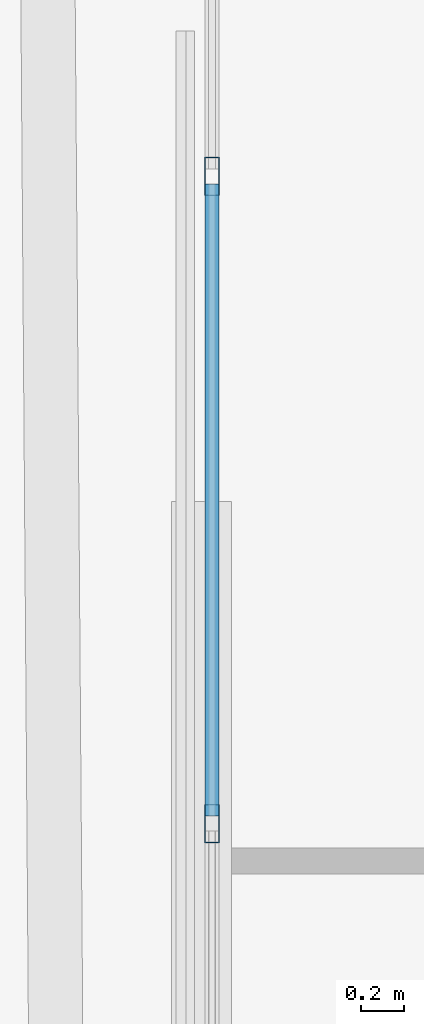
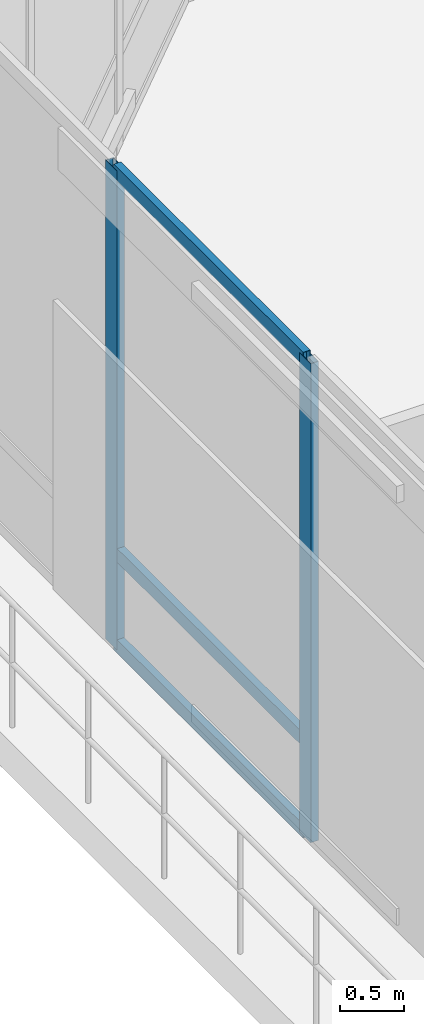
# One storey, part 29 of 48: 5 members, 1 element without a shape of its own.
"""IFC4 building model written with IfcOpenShell, lengths in metres."""

from ifc_helpers import new_model, si_unit, direction, frame, origin, origin_2d, place, context, subcontext, project, spatial, hollow_rectangle, extrude, material, layer, layer_set, material_profile, profile_set, type_object, element, aggregate, save


model = new_model("IFC4")

# Units and contexts
model_context = context("Model", 3, precision=1e-05, world=origin(), true_north=direction((0.0, 1.0)))
body_context = subcontext(model_context, "Body", "Model", "MODEL_VIEW")
ifc_project = project(units=[si_unit("LENGTHUNIT", "METRE"), si_unit("AREAUNIT", "SQUARE_METRE"), si_unit("VOLUMEUNIT", "CUBIC_METRE"), si_unit("PLANEANGLEUNIT", "RADIAN"), si_unit("MASSUNIT", "GRAM", prefix="KILO")], contexts=[model_context])

# Site, building, storey
site_placement = place(None, origin())
site = spatial("IfcSite", under=ifc_project, at=site_placement, CompositionType="ELEMENT")
building_placement = place(site_placement, origin())
building = spatial("IfcBuilding", under=site, at=building_placement, Name="Caelvoria Tower", CompositionType="ELEMENT")
storey_placement = place(building_placement, frame((0.0, 0.0, 90.39990234375)))
storey = spatial("IfcBuildingStorey", under=building, at=storey_placement, Name="L23", CompositionType="ELEMENT", Elevation=90.39990234375)

# Curtain wall, members
ifc_material_1 = material(Name="Anodised Bronze Aluminium and Low-E Glass", Category="aluminium")
ifc_layer = layer(ifc_material_1, 0.2099609375, Name="Anodised Bronze Aluminium and Low-E Glass")
ifc_layer_set = layer_set([ifc_layer], Name="CW System 3 Sky Lobby Double-Height Acoustic Facade - Anodised Bronze Aluminium and Low-E Glass")
curtain_wall_type = type_object("IfcCurtainWallType", Name="CW System 3 Sky Lobby Double-Height Acoustic Facade", PredefinedType="NOTDEFINED", material=ifc_layer_set)
curtain_wall_placement = place(storey_placement, origin())
curtain_wall = element("IfcCurtainWall", 1, at=curtain_wall_placement, inside=storey, type_object=curtain_wall_type, Name="CW-03 Curtain Wall L23-E6", PredefinedType="NOTDEFINED")
ifc_material_2 = material(Name="Anodised Bronze Architectural Aluminium", Category="aluminium")
ifc_material_profile_1 = material_profile(ifc_material_2, hollow_rectangle(XDim=0.070068359375, YDim=0.179931640625, WallThickness=0.00390625, at=origin_2d()), Name="Anodised Bronze Architectural Aluminium")
ifc_profile_set_1 = profile_set([ifc_material_profile_1], Name="CW_MULL_70X180 - Anodised Bronze Architectural Aluminium")
member_type_1 = type_object("IfcMemberType", Name="Curtain Wall Mullion 70x180 Bronze Aluminium", PredefinedType="MULLION", material=ifc_profile_set_1)
member_1_placement = place(storey_placement, frame((22.26318359375, 45.609130859375, 0.0), z_axis=(0.0, 0.0, 1.0), x_axis=(1.0, 0.0, 0.0)))
member_1 = element("IfcMember", 2, at=member_1_placement, type_object=member_type_1, Name="CW-03 mullion 2", PredefinedType="MULLION", context=body_context, shape_type="SweptSolid", body=[
    extrude(hollow_rectangle(XDim=0.070068359375, YDim=0.179931640625, WallThickness=0.00390625, at=origin_2d()), origin(), (0.0, 0.0, 1.0), 4.56005859375),
])
member_2_placement = place(storey_placement, frame((22.26318359375, 42.584716796875, 0.0), z_axis=(0.0, 0.0, 1.0), x_axis=(1.0, 0.0, 0.0)))
member_2 = element("IfcMember", 3, at=member_2_placement, type_object=member_type_1, Name="CW-03 mullion 3", PredefinedType="MULLION", context=body_context, shape_type="SweptSolid", body=[
    extrude(hollow_rectangle(XDim=0.070068359375, YDim=0.179931640625, WallThickness=0.00390625, at=origin_2d()), origin(), (0.0, 0.0, 1.0), 4.56005859375),
])
ifc_material_profile_2 = material_profile(ifc_material_2, hollow_rectangle(XDim=0.06494140625, YDim=0.1298828125, WallThickness=0.00341796875, at=origin_2d()), Name="Anodised Bronze Architectural Aluminium")
ifc_profile_set_2 = profile_set([ifc_material_profile_2], Name="CW_TRAN_65X130 - Anodised Bronze Architectural Aluminium")
member_type_2 = type_object("IfcMemberType", Name="Curtain Wall Transom 65x130 Bronze Aluminium", PredefinedType="USERDEFINED", material=ifc_profile_set_2)
member_3_placement = place(storey_placement, frame((22.26318359375, 45.573974609375, 0.03271484375), z_axis=(0.0, -1.0, 0.0), x_axis=(1.0, 0.0, 0.0)))
member_3 = element("IfcMember", 4, at=member_3_placement, type_object=member_type_2, Name="CW-03 transom 2.1", ObjectType="TRANSOM", PredefinedType="USERDEFINED", context=body_context, shape_type="SweptSolid", body=[
    extrude(hollow_rectangle(XDim=0.06494140625, YDim=0.1298828125, WallThickness=0.00341796875, at=origin_2d()), origin(), (0.0, 0.0, 1.0), 2.9541015625),
])
member_4_placement = place(storey_placement, frame((22.26318359375, 45.573974609375, 0.900146484375), z_axis=(0.0, -1.0, 0.0), x_axis=(1.0, 0.0, 0.0)))
member_4 = element("IfcMember", 5, at=member_4_placement, type_object=member_type_2, Name="CW-03 transom 2.2", ObjectType="TRANSOM", PredefinedType="USERDEFINED", context=body_context, shape_type="SweptSolid", body=[
    extrude(hollow_rectangle(XDim=0.06494140625, YDim=0.1298828125, WallThickness=0.00341796875, at=origin_2d()), origin(), (0.0, 0.0, 1.0), 2.9541015625),
])
member_5_placement = place(storey_placement, frame((22.26318359375, 45.573974609375, 4.527587890625), z_axis=(0.0, -1.0, 0.0), x_axis=(1.0, 0.0, 0.0)))
member_5 = element("IfcMember", 6, at=member_5_placement, type_object=member_type_2, Name="CW-03 transom 2.3", ObjectType="TRANSOM", PredefinedType="USERDEFINED", context=body_context, shape_type="SweptSolid", body=[
    extrude(hollow_rectangle(XDim=0.06494140625, YDim=0.1298828125, WallThickness=0.00341796875, at=origin_2d()), origin(), (0.0, 0.0, 1.0), 2.9541015625),
])
aggregate(curtain_wall, [member_1, member_2, member_3, member_4, member_5])

save(model, "model.ifc")
